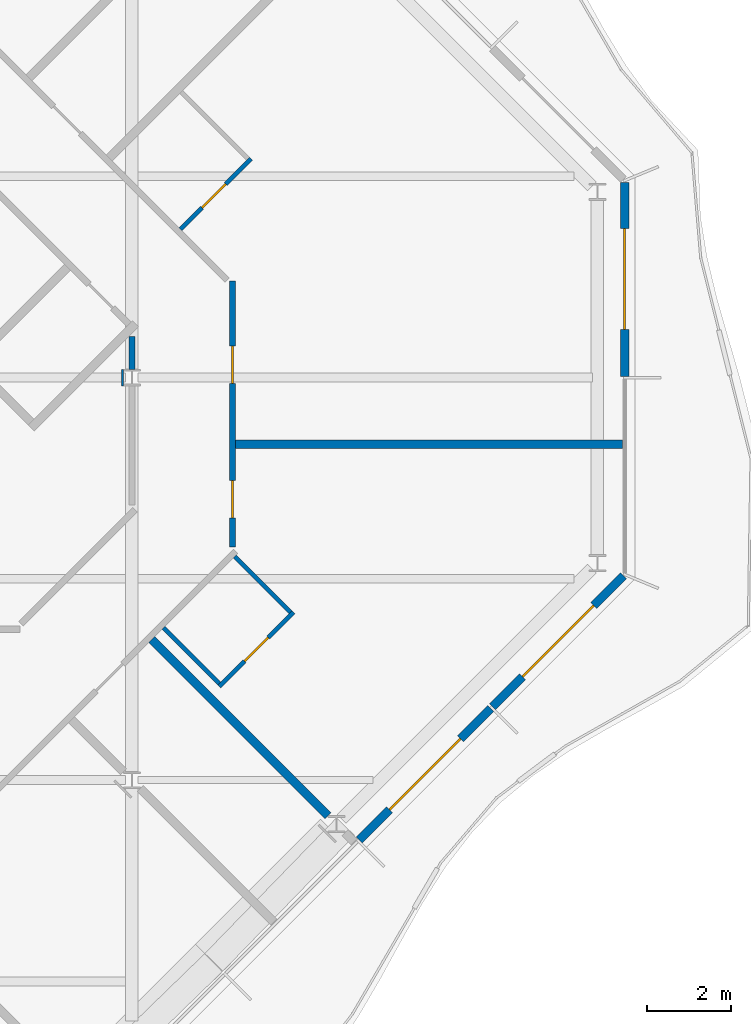
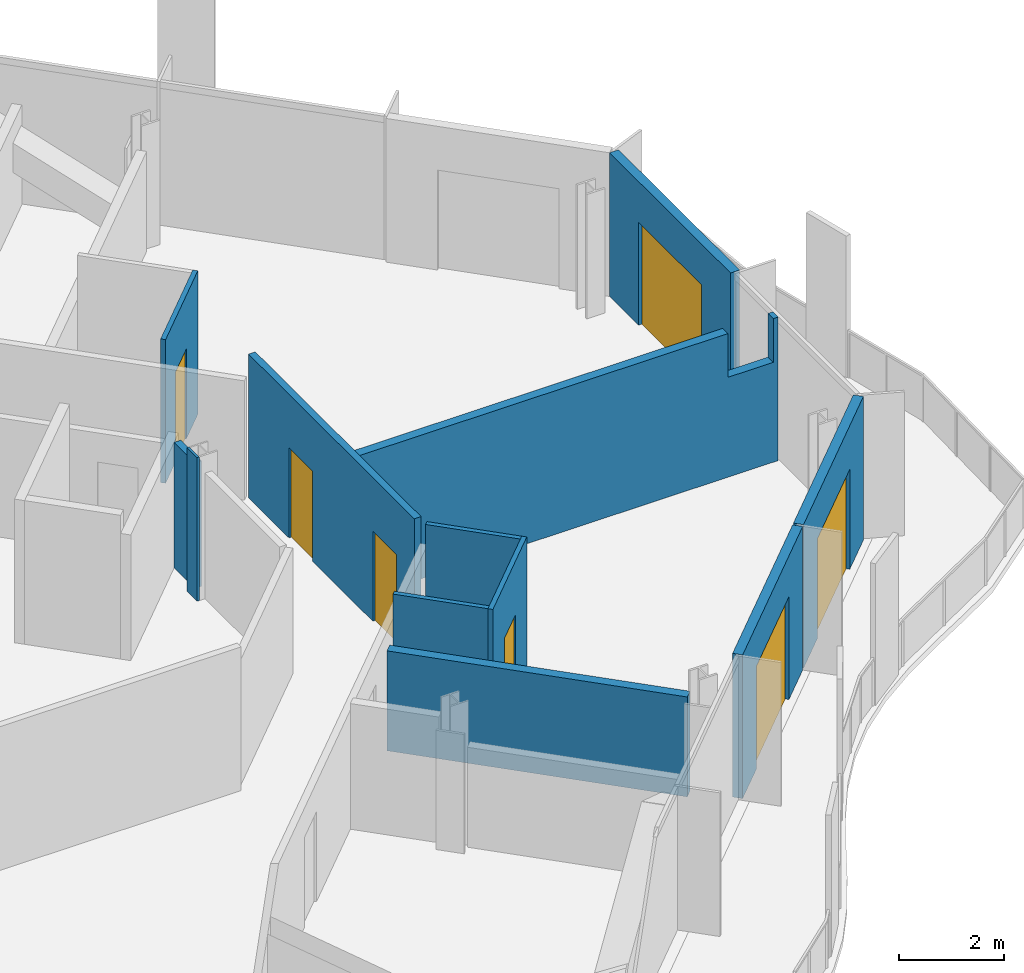
# One storey, part 10 of 17: 12 walls, 7 doors, 7 openings.
"""IFC4 building model written with IfcOpenShell, lengths in metres."""

from ifc_helpers import new_model, si_unit, direction, frame, frame_2d, origin, place, context, subcontext, project, spatial, polyline, rectangle, outline, extrude, material, layer, layer_set, type_object, element, fill, save


model = new_model("IFC4")

# Units and contexts
model_context = context("Model", 3, precision=1e-05, world=origin(), true_north=direction((0.0, 1.0)))
body_context = subcontext(model_context, "Body", "Model", "MODEL_VIEW")
ifc_project = project(units=[si_unit("LENGTHUNIT", "METRE"), si_unit("AREAUNIT", "SQUARE_METRE"), si_unit("VOLUMEUNIT", "CUBIC_METRE"), si_unit("PLANEANGLEUNIT", "RADIAN"), si_unit("MASSUNIT", "GRAM", prefix="KILO")], contexts=[model_context])

# Site, building, storey
site_placement = place(None, origin())
site = spatial("IfcSite", under=ifc_project, at=site_placement, CompositionType="ELEMENT")
building_placement = place(site_placement, origin())
building = spatial("IfcBuilding", under=site, at=building_placement, Name="Cairn Pilgrim Tower", CompositionType="ELEMENT")
storey_placement = place(building_placement, frame((0.0, 0.0, 257.39990234375)))
storey = spatial("IfcBuildingStorey", under=building, at=storey_placement, Name="L66", CompositionType="ELEMENT", Elevation=257.39990234375)

# Wall, opening, door
ifc_material_1 = material(Name="Bronze anodised aluminium insulated sandwich panel with mineral wool fill", Category="aluminium")
ifc_layer_1 = layer(ifc_material_1, 0.199951171875)
ifc_layer_set_1 = layer_set([ifc_layer_1], Name="BRONZE INFILL FRAME WALL 200")
wall_type_1 = type_object("IfcWallType", Name="BRONZE INFILL FRAME WALL 200", PredefinedType="NOTDEFINED", material=ifc_layer_set_1)
wall_1_placement = place(storey_placement, frame((36.6201171875, -11.0263671875, 0.0), z_axis=(0.0, 0.0, 1.0), x_axis=(0.707106781187, 0.707106781187, 0.0)))
wall_1 = element("IfcWall", 1, at=wall_1_placement, inside=storey, type_object=wall_type_1, Name="Bronze infill frame wall IW-SE5", PredefinedType="NOTDEFINED", context=body_context, shape_type="SweptSolid", body=[
    extrude(rectangle(XDim=4.430908203125, YDim=0.199951171875, at=frame_2d((2.21533203125, 0.0))), origin(), (0.0, 0.0, 1.0), 3.35009765625),
])
opening_1_placement = place(wall_1_placement, frame((1.01513671875, 0.0, 0.0)))
opening_1 = element("IfcOpeningElement", 2, at=opening_1_placement, cuts=wall_1, Name="Opening 6604B2", PredefinedType="OPENING", context=body_context, shape_type="SweptSolid", body=[
    extrude(rectangle(XDim=2.39990234375, YDim=2.39990234375, at=frame_2d((1.199951171875, 1.199951171875))), frame((0.0, 0.10986328125, 0.0), z_axis=(0.0, -1.0, 0.0), x_axis=(1.0, 0.0, 0.0)), (0.0, 0.0, 1.0), 0.219970703125),
])
ifc_material_2 = material(Name="Bronze anodised aluminium frame with tinted low-E glass", Category="aluminium")
door_type_1 = type_object("IfcDoorType", Name="BALCONY SLIDING DOOR 2400x2400", OperationType="DOUBLE_DOOR_SLIDING", PredefinedType="DOOR", material=ifc_material_2)
door_1_placement = place(opening_1_placement, origin())
door_1 = element("IfcDoor", 3, at=door_1_placement, inside=storey, type_object=door_type_1, Name="Balcony sliding door 6604B2", OperationType="SINGLE_SWING_LEFT", OverallHeight=2.39990234375, OverallWidth=2.39990234375, PredefinedType="DOOR", context=body_context, shape_type="SweptSolid", body=[
    extrude(rectangle(XDim=2.39990234375, YDim=2.39990234375, at=frame_2d((1.199951171875, 1.199951171875))), frame((0.0, 0.02490234375, 0.0), z_axis=(0.0, -1.0, 0.0), x_axis=(1.0, 0.0, 0.0)), (0.0, 0.0, 1.0), 0.050048828125),
])
fill(opening_1, door_1)

wall_2_placement = place(storey_placement, frame((39.795654296875, -7.850830078125, 0.0), z_axis=(0.0, 0.0, 1.0), x_axis=(0.707079168996, 0.707134392299, 0.0)))
wall_2 = element("IfcWall", 4, at=wall_2_placement, inside=storey, type_object=wall_type_1, Name="Bronze infill frame wall IW-SE6", PredefinedType="NOTDEFINED", context=body_context, shape_type="SweptSolid", body=[
    extrude(rectangle(XDim=4.4208984375, YDim=0.199951171875, at=frame_2d((2.21044921875, 0.0))), origin(), (0.0, 0.0, 1.0), 3.35009765625),
])
opening_2_placement = place(wall_2_placement, frame((1.01513671875, 0.0, 0.0)))
opening_2 = element("IfcOpeningElement", 5, at=opening_2_placement, cuts=wall_2, Name="Opening 6604B", PredefinedType="OPENING", context=body_context, shape_type="SweptSolid", body=[
    extrude(rectangle(XDim=2.39990234375, YDim=2.330078125, at=frame_2d((1.199951171875, 1.1650390625))), frame((0.0, 0.10986328125, 0.0), z_axis=(0.0, -1.0, 0.0), x_axis=(1.0, 0.0, 0.0)), (0.0, 0.0, 1.0), 0.219970703125),
])
door_type_2 = type_object("IfcDoorType", Name="BALCONY SLIDING DOOR 2400x2330", OperationType="DOUBLE_DOOR_SLIDING", PredefinedType="DOOR", material=ifc_material_2)
door_2_placement = place(opening_2_placement, origin())
door_2 = element("IfcDoor", 6, at=door_2_placement, inside=storey, type_object=door_type_2, Name="Balcony sliding door 6604B", OperationType="SINGLE_SWING_LEFT", OverallHeight=2.330078125, OverallWidth=2.39990234375, PredefinedType="DOOR", context=body_context, shape_type="SweptSolid", body=[
    extrude(rectangle(XDim=2.39990234375, YDim=2.330078125, at=frame_2d((1.199951171875, 1.1650390625))), frame((0.0, 0.02490234375, 0.0), z_axis=(0.0, -1.0, 0.0), x_axis=(1.0, 0.0, 0.0)), (0.0, 0.0, 1.0), 0.050048828125),
])
fill(opening_2, door_2)

wall_3_placement = place(storey_placement, frame((42.949951171875, 0.030029296875, 0.0), z_axis=(0.0, 0.0, 1.0), x_axis=(0.0, 1.0, 0.0)))
wall_3 = element("IfcWall", 7, at=wall_3_placement, inside=storey, type_object=wall_type_1, Name="Bronze infill frame wall IW-E2", PredefinedType="NOTDEFINED", context=body_context, shape_type="SweptSolid", body=[
    extrude(rectangle(XDim=4.62646484375, YDim=0.199951171875, at=frame_2d((2.313232421875, 0.0))), origin(), (0.0, 0.0, 1.0), 3.35009765625),
])
opening_3_placement = place(wall_3_placement, frame((1.1181640625, 0.0, 0.0)))
opening_3 = element("IfcOpeningElement", 8, at=opening_3_placement, cuts=wall_3, Name="Opening 6605B", PredefinedType="OPENING", context=body_context, shape_type="SweptSolid", body=[
    extrude(rectangle(XDim=2.39990234375, YDim=2.39990234375, at=frame_2d((1.199951171875, 1.199951171875))), frame((0.0, 0.10986328125, 0.0), z_axis=(0.0, -1.0, 0.0), x_axis=(1.0, 0.0, 0.0)), (0.0, 0.0, 1.0), 0.219970703125),
])
door_3_placement = place(opening_3_placement, origin())
door_3 = element("IfcDoor", 9, at=door_3_placement, inside=storey, type_object=door_type_1, Name="Balcony sliding door 6605B", OperationType="SINGLE_SWING_LEFT", OverallHeight=2.39990234375, OverallWidth=2.39990234375, PredefinedType="DOOR", context=body_context, shape_type="SweptSolid", body=[
    extrude(rectangle(XDim=2.39990234375, YDim=2.39990234375, at=frame_2d((1.199951171875, 1.199951171875))), frame((0.0, 0.02490234375, 0.0), z_axis=(0.0, -1.0, 0.0), x_axis=(1.0, 0.0, 0.0)), (0.0, 0.0, 1.0), 0.050048828125),
])
fill(opening_3, door_3)

ifc_material_3 = material(Name="Gypsum partition")
ifc_layer_2 = layer(ifc_material_3, 0.10009765625)
ifc_layer_set_2 = layer_set([ifc_layer_2], Name="PARTITION 100 DRYWALL")
wall_type_2 = type_object("IfcWallType", Name="PARTITION 100 DRYWALL", PredefinedType="PARTITIONING", material=ifc_layer_set_2)
wall_4_placement = place(storey_placement, frame((33.281494140625, -7.364501953125, 0.0), z_axis=(0.0, 0.0, 1.0), x_axis=(0.707106781187, 0.707106781187, 0.0)))
wall_4 = element("IfcWall", 10, at=wall_4_placement, inside=storey, type_object=wall_type_2, Name="PARTITION W035", PredefinedType="PARTITIONING", context=body_context, shape_type="SweptSolid", body=[
    extrude(rectangle(XDim=2.5, YDim=0.10009765625, at=frame_2d((1.25, 0.0))), origin(), (0.0, 0.0, 1.0), 3.35009765625),
])
opening_4_placement = place(wall_4_placement, frame((0.85009765625, 0.0, 0.0)))
opening_4 = element("IfcOpeningElement", 11, at=opening_4_placement, cuts=wall_4, Name="Opening 6604A", PredefinedType="OPENING", context=body_context, shape_type="SweptSolid", body=[
    extrude(rectangle(XDim=0.800048828125, YDim=2.10009765625, at=frame_2d((0.39990234375, 1.050048828125))), frame((0.0, 0.06005859375, 0.0), z_axis=(0.0, -1.0, 0.0), x_axis=(1.0, 0.0, 0.0)), (0.0, 0.0, 1.0), 0.1201171875),
])
ifc_material_4 = material(Name="Timber door leaf", Category="wood")
door_type_3 = type_object("IfcDoorType", Name="WC DOOR 800x2100", OperationType="NOTDEFINED", PredefinedType="DOOR", material=ifc_material_4)
door_4_placement = place(opening_4_placement, frame((0.800048828125, 0.0, 0.0), z_axis=(0.0, 0.0, 1.0), x_axis=(-1.0, 0.0, 0.0)))
door_4 = element("IfcDoor", 12, at=door_4_placement, inside=storey, type_object=door_type_3, Name="DOOR 6604A", OperationType="SINGLE_SWING_RIGHT", OverallHeight=2.10009765625, OverallWidth=0.800048828125, PredefinedType="DOOR", context=body_context, shape_type="SweptSolid", body=[
    extrude(rectangle(XDim=0.800048828125, YDim=2.10009765625, at=frame_2d((0.39990234375, 1.050048828125))), frame((0.0, 0.02490234375, 0.0), z_axis=(0.0, -1.0, 0.0), x_axis=(1.0, 0.0, 0.0)), (0.0, 0.0, 1.0), 0.050048828125),
])
fill(opening_4, door_4)

# Walls
for number, where, z_axis, x_axis, name in (
    (13, (33.281494140625, -7.293701171875, 0.0), (0.0, 0.0, 1.0), (-0.707041661071, 0.707171895306, 0.0), "PARTITION W036"),
    (14, (34.978515625, -5.5966796875, 0.0), (0.0, 0.0, 1.0), (-0.707041661071, 0.707171895306, 0.0), "PARTITION W043"),
):
    element("IfcWall", number, at=place(storey_placement, frame(where, z_axis=z_axis, x_axis=x_axis)), inside=storey, type_object=wall_type_2, Name=name, PredefinedType="PARTITIONING", context=body_context, shape_type="SweptSolid", body=[
        extrude(rectangle(XDim=1.87451171875, YDim=0.10009765625, at=frame_2d((0.937255859375, 0.0))), origin(), (0.0, 0.0, 1.0), 3.35009765625),
    ])

# Wall, opening, door
wall_5_placement = place(storey_placement, frame((32.35888671875, 3.541015625, 0.0), z_axis=(0.0, 0.0, 1.0), x_axis=(0.707158179099, 0.707055379538, 0.0)))
wall_5 = element("IfcWall", 15, at=wall_5_placement, inside=storey, type_object=wall_type_2, Name="PARTITION W058", PredefinedType="PARTITIONING", context=body_context, shape_type="SweptSolid", body=[
    extrude(rectangle(XDim=2.375, YDim=0.10009765625, at=frame_2d((1.1875, 0.0))), origin(), (0.0, 0.0, 1.0), 3.35009765625),
])
opening_5_placement = place(wall_5_placement, frame((0.72509765625, 0.0, 0.0)))
opening_5 = element("IfcOpeningElement", 16, at=opening_5_placement, cuts=wall_5, Name="Opening 6605A", PredefinedType="OPENING", context=body_context, shape_type="SweptSolid", body=[
    extrude(rectangle(XDim=0.800048828125, YDim=2.10009765625, at=frame_2d((0.39990234375, 1.050048828125))), frame((0.0, 0.06005859375, 0.0), z_axis=(0.0, -1.0, 0.0), x_axis=(1.0, 0.0, 0.0)), (0.0, 0.0, 1.0), 0.1201171875),
])
door_5_placement = place(opening_5_placement, frame((0.800048828125, 0.0, 0.0), z_axis=(0.0, 0.0, 1.0), x_axis=(-1.0, 0.0, 0.0)))
door_5 = element("IfcDoor", 17, at=door_5_placement, inside=storey, type_object=door_type_3, Name="DOOR 6605A", OperationType="SINGLE_SWING_RIGHT", OverallHeight=2.10009765625, OverallWidth=0.800048828125, PredefinedType="DOOR", context=body_context, shape_type="SweptSolid", body=[
    extrude(rectangle(XDim=0.800048828125, YDim=2.10009765625, at=frame_2d((0.39990234375, 1.050048828125))), frame((0.0, 0.02490234375, 0.0), z_axis=(0.0, -1.0, 0.0), x_axis=(1.0, 0.0, 0.0)), (0.0, 0.0, 1.0), 0.050048828125),
])
fill(opening_5, door_5)

# Wall, openings, doors
ifc_layer_3 = layer(ifc_material_3, 0.14990234375)
ifc_layer_set_3 = layer_set([ifc_layer_3], Name="PARTITION 150 DRYWALL EI 60")
wall_type_3 = type_object("IfcWallType", Name="PARTITION 150 DRYWALL EI 60", PredefinedType="PARTITIONING", material=ifc_layer_set_3)
wall_6_placement = place(storey_placement, frame((33.60009765625, -4.036865234375, 0.0), z_axis=(0.0, 0.0, 1.0), x_axis=(0.0, 1.0, 0.0)))
wall_6 = element("IfcWall", 18, at=wall_6_placement, inside=storey, type_object=wall_type_3, Name="PARTITION W044", PredefinedType="PARTITIONING", context=body_context, shape_type="SweptSolid", body=[
    extrude(rectangle(XDim=6.3369140625, YDim=0.14990234375, at=frame_2d((3.16845703125, 0.0))), origin(), (0.0, 0.0, 1.0), 3.35009765625),
])
opening_6_placement = place(wall_6_placement, frame((0.683837890625, 0.0, 0.0)))
opening_6 = element("IfcOpeningElement", 19, at=opening_6_placement, cuts=wall_6, Name="Opening 6604", PredefinedType="OPENING", context=body_context, shape_type="SweptSolid", body=[
    extrude(rectangle(XDim=0.89990234375, YDim=2.10009765625, at=frame_2d((0.449951171875, 1.050048828125))), frame((0.0, 0.0849609375, 0.0), z_axis=(0.0, -1.0, 0.0), x_axis=(1.0, 0.0, 0.0)), (0.0, 0.0, 1.0), 0.169921875),
])
opening_7_placement = place(wall_6_placement, frame((3.888916015625, 0.0, 0.0)))
opening_7 = element("IfcOpeningElement", 20, at=opening_7_placement, cuts=wall_6, Name="Opening 6605", PredefinedType="OPENING", context=body_context, shape_type="SweptSolid", body=[
    extrude(rectangle(XDim=0.89990234375, YDim=2.10009765625, at=frame_2d((0.449951171875, 1.050048828125))), frame((0.0, 0.0849609375, 0.0), z_axis=(0.0, -1.0, 0.0), x_axis=(1.0, 0.0, 0.0)), (0.0, 0.0, 1.0), 0.169921875),
])
door_type_4 = type_object("IfcDoorType", Name="ROOM DOOR 900x2100 FD30S", OperationType="NOTDEFINED", PredefinedType="DOOR", material=ifc_material_4)
door_6_placement = place(opening_6_placement, frame((0.89990234375, 0.0, 0.0), z_axis=(0.0, 0.0, 1.0), x_axis=(-1.0, 0.0, 0.0)))
door_6 = element("IfcDoor", 21, at=door_6_placement, inside=storey, type_object=door_type_4, Name="DOOR 6604", OperationType="SINGLE_SWING_RIGHT", OverallHeight=2.10009765625, OverallWidth=0.89990234375, PredefinedType="DOOR", context=body_context, shape_type="SweptSolid", body=[
    extrude(rectangle(XDim=0.89990234375, YDim=2.10009765625, at=frame_2d((0.449951171875, 1.050048828125))), frame((0.0, 0.02490234375, 0.0), z_axis=(0.0, -1.0, 0.0), x_axis=(1.0, 0.0, 0.0)), (0.0, 0.0, 1.0), 0.050048828125),
])
fill(opening_6, door_6)
door_7_placement = place(opening_7_placement, frame((0.89990234375, 0.0, 0.0), z_axis=(0.0, 0.0, 1.0), x_axis=(-1.0, 0.0, 0.0)))
door_7 = element("IfcDoor", 22, at=door_7_placement, inside=storey, type_object=door_type_4, Name="DOOR 6605", OperationType="SINGLE_SWING_RIGHT", OverallHeight=2.10009765625, OverallWidth=0.89990234375, PredefinedType="DOOR", context=body_context, shape_type="SweptSolid", body=[
    extrude(rectangle(XDim=0.89990234375, YDim=2.10009765625, at=frame_2d((0.449951171875, 1.050048828125))), frame((0.0, 0.02490234375, 0.0), z_axis=(0.0, -1.0, 0.0), x_axis=(1.0, 0.0, 0.0)), (0.0, 0.0, 1.0), 0.050048828125),
])
fill(opening_7, door_7)

# Walls
wall_7_placement = place(storey_placement, frame((31.199951171875, 0.196533203125, 0.0), z_axis=(0.0, 0.0, 1.0), x_axis=(0.0, 1.0, 0.0)))
element("IfcWall", 23, at=wall_7_placement, inside=storey, type_object=wall_type_3, Name="PARTITION W051", PredefinedType="PARTITIONING", context=body_context, shape_type="SweptSolid", body=[
    extrude(rectangle(XDim=0.787109375, YDim=0.14990234375, at=frame_2d((0.3935546875, 0.0))), origin(), (0.0, 0.0, 1.0), 2.93017578125),
])
ifc_layer_4 = layer(ifc_material_3, 0.050048828125)
ifc_layer_set_4 = layer_set([ifc_layer_4], Name="PARTITION 50 DRYWALL EI 60")
wall_type_4 = type_object("IfcWallType", Name="PARTITION 50 DRYWALL EI 60", PredefinedType="PARTITIONING", material=ifc_layer_set_4)
wall_8_placement = place(storey_placement, frame((30.9755859375, -0.196533203125, 0.0), z_axis=(0.0, 0.0, 1.0), x_axis=(0.0, 1.0, 0.0)))
element("IfcWall", 24, at=wall_8_placement, inside=storey, type_object=wall_type_4, Name="COLUMN CASING WC16", PredefinedType="PARTITIONING", context=body_context, shape_type="SweptSolid", body=[
    extrude(rectangle(XDim=0.39306640625, YDim=0.050048828125, at=frame_2d((0.196533203125, 0.0))), origin(), (0.0, 0.0, 1.0), 3.35009765625),
])
ifc_layer_5 = layer(ifc_material_3, 0.199951171875)
ifc_layer_set_5 = layer_set([ifc_layer_5], Name="SHAFT WALL 200 GYPSUM EI 60")
wall_type_5 = type_object("IfcWallType", Name="SHAFT WALL 200 GYPSUM EI 60", PredefinedType="PARTITIONING", material=ifc_layer_set_5)
wall_9_placement = place(storey_placement, frame((35.872802734375, -10.448974609375, 0.0), z_axis=(0.0, 0.0, 1.0), x_axis=(-0.707086223665, 0.70712733811, 0.0)))
element("IfcWall", 25, at=wall_9_placement, inside=storey, type_object=wall_type_5, Name="PARTITION W029", PredefinedType="PARTITIONING", context=body_context, shape_type="SweptSolid", body=[
    extrude(rectangle(XDim=5.93798828125, YDim=0.199951171875, at=frame_2d((2.968994140625, 0.0))), origin(), (0.0, 0.0, 1.0), 2.330078125),
])
wall_10_placement = place(storey_placement, frame((33.675048828125, -1.589111328125, 0.0), z_axis=(0.0, 0.0, 1.0), x_axis=(1.0, 0.0, 0.0)))
element("IfcWall", 26, at=wall_10_placement, inside=storey, type_object=wall_type_5, Name="PARTITION W048", PredefinedType="PARTITIONING", context=body_context, shape_type="SweptSolid", body=[
    extrude(outline(polyline([(0.0, 0.0), (9.22802734375, 0.0), (9.22802734375, 3.35009765625), (9.125, 3.35009765625), (9.123046875, 2.330078125), (8.125, 2.330078125), (8.123046875, 3.35009765625), (0.0, 3.35009765625), (0.0, 0.0)])), frame((0.0, 0.10009765625, 0.0), z_axis=(0.0, -1.0, 0.0), x_axis=(1.0, 0.0, 0.0)), (0.0, 0.0, 1.0), 0.199951171875),
])

save(model, "model.ifc")
